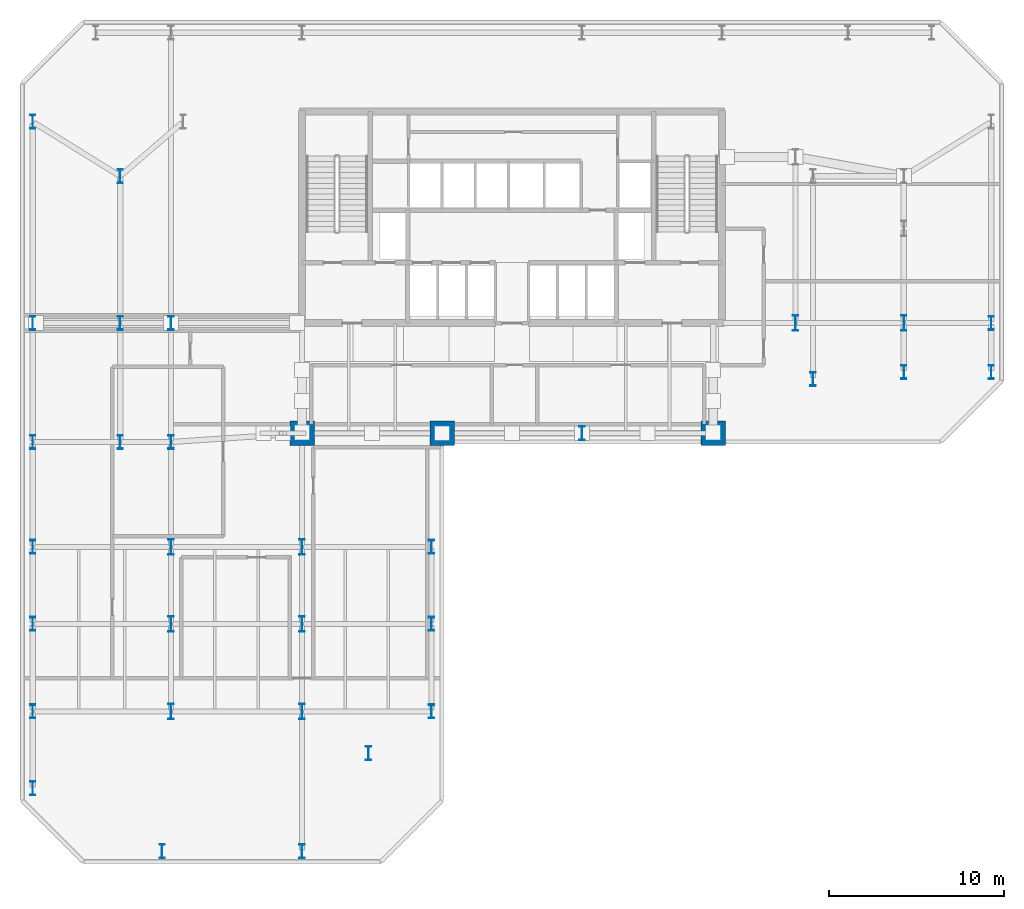
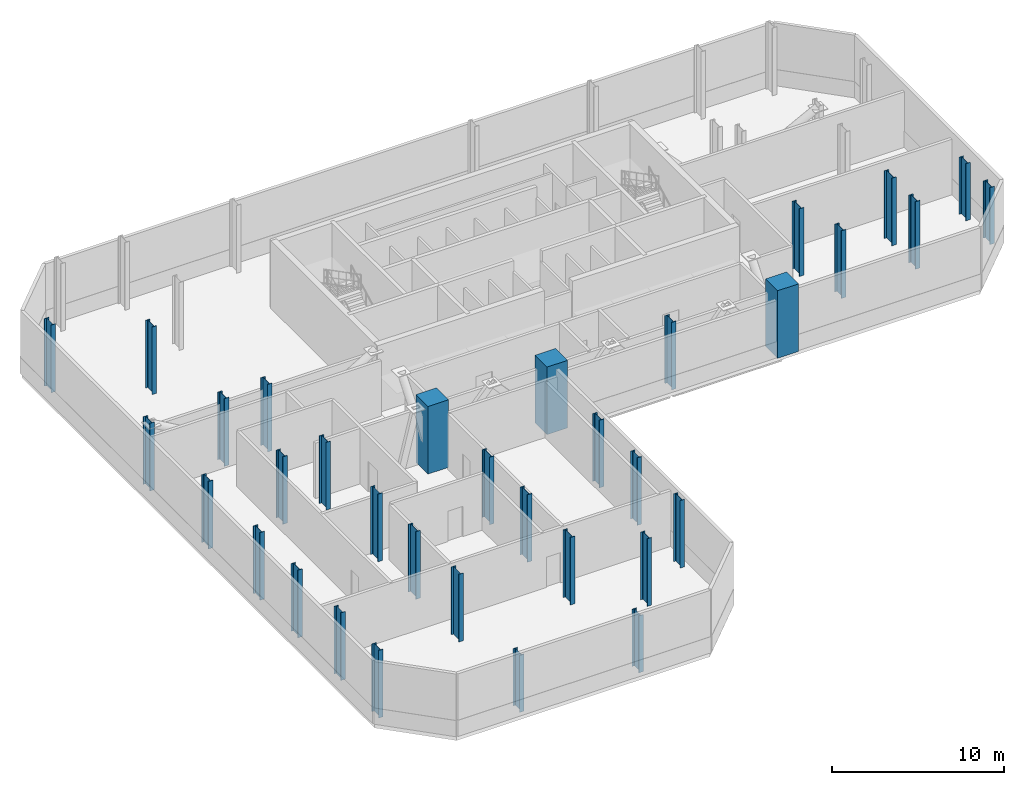
# One storey, part 1 of 8: 34 columns.
"""IFC4 building model written with IfcOpenShell, lengths in metres."""

from ifc_helpers import new_model, si_unit, direction, frame, origin, origin_2d, place, context, subcontext, project, spatial, rectangle, i_section, extrude, material, material_profile, profile_set, type_object, element, save


model = new_model("IFC4")

# Units and contexts
model_context = context("Model", 3, precision=1e-05, world=origin(), true_north=direction((0.0, 1.0)))
body_context = subcontext(model_context, "Body", "Model", "MODEL_VIEW")
ifc_project = project(units=[si_unit("LENGTHUNIT", "METRE"), si_unit("AREAUNIT", "SQUARE_METRE"), si_unit("VOLUMEUNIT", "CUBIC_METRE"), si_unit("PLANEANGLEUNIT", "RADIAN"), si_unit("MASSUNIT", "GRAM", prefix="KILO")], contexts=[model_context])

# Site, building, storey
site_placement = place(None, origin())
site = spatial("IfcSite", under=ifc_project, at=site_placement, CompositionType="ELEMENT")
building_placement = place(site_placement, origin())
building = spatial("IfcBuilding", under=site, at=building_placement, Name="Catumbela Crestline Tower", CompositionType="ELEMENT")
storey_placement = place(building_placement, frame((0.0, 0.0, 79.8)))
storey = spatial("IfcBuildingStorey", under=building, at=storey_placement, Name="L20", CompositionType="ELEMENT", Elevation=79.8)

# Columns
ifc_material_1 = material(Name="Concrete C60/75", Category="concrete")
ifc_material_profile_1 = material_profile(ifc_material_1, rectangle(XDim=1.4, YDim=1.4, at=origin_2d()), Name="RC 1400x1400")
ifc_profile_set_1 = profile_set([ifc_material_profile_1], Name="Concrete C60/75")
column_type_1 = type_object("IfcColumnType", Name="C-RC1400-C60", PredefinedType="COLUMN", material=ifc_profile_set_1)
for number, where, z_axis, x_axis, name in (
    (1, (16.0, 24.5, 0.0), (0.0, 0.0, 1.0), (1.0, 0.0, 0.0), "L20 Column C-16-24 (RC 1400x1400)"),
    (2, (24.0, 24.5, 0.0), (0.0, 0.0, 1.0), (1.0, 0.0, 0.0), "L20 Column C-24-24 (RC 1400x1400)"),
    (3, (39.5, 24.5, 0.0), (0.0, 0.0, 1.0), (1.0, 0.0, 0.0), "L20 Column C-40-24 (RC 1400x1400)"),
):
    element("IfcColumn", number, at=place(storey_placement, frame(where, z_axis=z_axis, x_axis=x_axis)), inside=storey, type_object=column_type_1, Name=name, PredefinedType="COLUMN", context=body_context, shape_type="SweptSolid", body=[
        extrude(rectangle(XDim=1.4, YDim=1.4, at=origin_2d()), origin(), (0.0, 0.0, 1.0), 4.8),
    ])
ifc_material_2 = material(Name="Structural steel S460M", Category="steel")
ifc_material_profile_2 = material_profile(ifc_material_2, i_section(OverallWidth=0.3, OverallDepth=0.8, WebThickness=0.0175, FlangeThickness=0.033, FilletRadius=0.03, at=origin_2d()), Name="HEB 800")
ifc_profile_set_2 = profile_set([ifc_material_profile_2], Name="Structural steel S460M")
column_type_2 = type_object("IfcColumnType", Name="C-ST-HEB800", PredefinedType="COLUMN", material=ifc_profile_set_2)
for number, where, z_axis, x_axis, name in (
    (4, (8.5, 24.0, 0.0), (0.0, 0.0, 1.0), (1.0, 0.0, 0.0), "L20 Column C-08-24 (HEB 800)"),
    (5, (32.0, 24.5, 0.0), (0.0, 0.0, 1.0), (1.0, 0.0, 0.0), "L20 Column C-32-24 (HEB 800)"),
    (6, (5.6, 24.0, 0.0), (0.0, 0.0, 1.0), (1.0, 0.0, 0.0), "L20 Column C-05-24 (HEB 800)"),
    (7, (5.6, 30.8, 0.0), (0.0, 0.0, 1.0), (1.0, 0.0, 0.0), "L20 Column C-05-31 (HEB 800)"),
    (8, (5.6, 39.2, 0.0), (0.0, 0.0, 1.0), (1.0, 0.0, 0.0), "L20 Column C-05-43 (HEB 800)"),
    (9, (8.5, 30.8, 0.0), (0.0, 0.0, 1.0), (1.0, 0.0, 0.0), "L20 Column C-08-31 (HEB 800)"),
    (10, (45.2, 27.6, 0.0), (0.0, 0.0, 1.0), (1.0, 0.0, 0.0), "L20 Column C-46-24 (HEB 800)"),
    (11, (0.6, 24.0, 0.0), (0.0, 0.0, 1.0), (1.0, 0.0, 0.0), "L20 Column C-00-24 (HEB 800)"),
    (12, (0.6, 30.8, 0.0), (0.0, 0.0, 1.0), (1.0, 0.0, 0.0), "L20 Column C-00-31 (HEB 800)"),
    (13, (0.6, 42.3, 0.0), (0.0, 0.0, 1.0), (1.0, 0.0, 0.0), "L20 Column C-00-43 (HEB 800)"),
    (14, (50.4, 28.0, 0.0), (0.0, 0.0, 1.0), (1.0, 0.0, 0.0), "L20 Column C-51-24 (HEB 800)"),
):
    element("IfcColumn", number, at=place(storey_placement, frame(where, z_axis=z_axis, x_axis=x_axis)), inside=storey, type_object=column_type_2, Name=name, PredefinedType="COLUMN", context=body_context, shape_type="SweptSolid", body=[
        extrude(i_section(OverallWidth=0.3, OverallDepth=0.8, WebThickness=0.0175, FlangeThickness=0.033, FilletRadius=0.03, at=origin_2d()), origin(), (0.0, 0.0, 1.0), 4.8),
    ])
for number, where, z_axis, x_axis, name in (
    (15, (55.4, 28.0, 0.0), (0.0, 0.0, 1.0), (1.0, 0.0, 0.0), "L20 Column C-56-24 (HEB 800)"),
    (16, (55.4, 30.8, 0.0), (0.0, 0.0, 1.0), (1.0, 0.0, 0.0), "L20 Column C-56-31 (HEB 800)"),
):
    element("IfcColumn", number, at=place(storey_placement, frame(where, z_axis=z_axis, x_axis=x_axis)), inside=storey, type_object=column_type_2, Name=name, PredefinedType="COLUMN", context=body_context, shape_type="SweptSolid", body=[
        extrude(i_section(OverallWidth=0.3, OverallDepth=0.8, WebThickness=0.0175, FlangeThickness=0.033, FilletRadius=0.03, at=origin_2d()), origin(), (0.0, 0.0, 1.0), 4.05),
    ])
for number, where, z_axis, x_axis, name in (
    (17, (0.6, 8.6, 0.0), (0.0, 0.0, 1.0), (1.0, 0.0, 0.0), "L20 Column C-00-05 (HEB 800)"),
    (18, (0.6, 13.6, 0.0), (0.0, 0.0, 1.0), (1.0, 0.0, 0.0), "L20 Column C-00-10 (HEB 800)"),
    (19, (0.6, 18.0, 0.0), (0.0, 0.0, 1.0), (1.0, 0.0, 0.0), "L20 Column C-00-16 (HEB 800)"),
    (20, (0.6, 4.2, 0.0), (0.0, 0.0, 1.0), (1.0, 0.0, 0.0), "L20 Column C-00-03 (HEB 800)"),
):
    element("IfcColumn", number, at=place(storey_placement, frame(where, z_axis=z_axis, x_axis=x_axis)), inside=storey, type_object=column_type_2, Name=name, PredefinedType="COLUMN", context=body_context, shape_type="SweptSolid", body=[
        extrude(i_section(OverallWidth=0.3, OverallDepth=0.8, WebThickness=0.0175, FlangeThickness=0.033, FilletRadius=0.03, at=origin_2d()), origin(), (0.0, 0.0, 1.0), 4.8),
    ])
for number, where, z_axis, x_axis, name in (
    (21, (8.0, 0.6, 0.0), (0.0, 0.0, 1.0), (1.0, 0.0, 0.0), "L20 Column C-08-00 (HEB 800)"),
    (22, (16.0, 0.6, 0.0), (0.0, 0.0, 1.0), (1.0, 0.0, 0.0), "L20 Column C-16-00 (HEB 800)"),
):
    element("IfcColumn", number, at=place(storey_placement, frame(where, z_axis=z_axis, x_axis=x_axis)), inside=storey, type_object=column_type_2, Name=name, PredefinedType="COLUMN", context=body_context, shape_type="SweptSolid", body=[
        extrude(i_section(OverallWidth=0.3, OverallDepth=0.8, WebThickness=0.0175, FlangeThickness=0.033, FilletRadius=0.03, at=origin_2d()), origin(), (0.0, 0.0, 1.0), 4.05),
    ])
for number, where, z_axis, x_axis, name in (
    (23, (19.8, 6.2, 0.0), (0.0, 0.0, 1.0), (1.0, 0.0, 0.0), "L20 Column C-24-05 (HEB 800)"),
    (24, (23.4, 8.6, 0.0), (0.0, 0.0, 1.0), (1.0, 0.0, 0.0), "L20 Column C-23-08 (HEB 800)"),
    (25, (23.4, 13.6, 0.0), (0.0, 0.0, 1.0), (1.0, 0.0, 0.0), "L20 Column C-24-10 (HEB 800)"),
    (26, (23.4, 18.0, 0.0), (0.0, 0.0, 1.0), (1.0, 0.0, 0.0), "L20 Column C-24-16 (HEB 800)"),
):
    element("IfcColumn", number, at=place(storey_placement, frame(where, z_axis=z_axis, x_axis=x_axis)), inside=storey, type_object=column_type_2, Name=name, PredefinedType="COLUMN", context=body_context, shape_type="SweptSolid", body=[
        extrude(i_section(OverallWidth=0.3, OverallDepth=0.8, WebThickness=0.0175, FlangeThickness=0.033, FilletRadius=0.03, at=origin_2d()), origin(), (0.0, 0.0, 1.0), 4.8),
    ])
ifc_material_profile_3 = material_profile(ifc_material_2, i_section(OverallWidth=0.3, OverallDepth=0.9, WebThickness=0.0185, FlangeThickness=0.035, FilletRadius=0.03, at=origin_2d()), Name="HEB 900")
ifc_profile_set_3 = profile_set([ifc_material_profile_3], Name="Structural steel S460M")
column_type_3 = type_object("IfcColumnType", Name="C-ST-HEB900", PredefinedType="COLUMN", material=ifc_profile_set_3)
for number, where, z_axis, x_axis, name in (
    (27, (8.5, 8.6, 0.0), (0.0, 0.0, 1.0), (1.0, 0.0, 0.0), "L20 Column CT-05-05 (HEB 900)"),
    (28, (16.0, 8.6, 0.0), (0.0, 0.0, 1.0), (1.0, 0.0, 0.0), "L20 Column CT-14-05 (HEB 900)"),
    (29, (8.5, 13.6, 0.0), (0.0, 0.0, 1.0), (1.0, 0.0, 0.0), "L20 Column CT-05-10 (HEB 900)"),
    (30, (16.0, 13.6, 0.0), (0.0, 0.0, 1.0), (1.0, 0.0, 0.0), "L20 Column CT-14-10 (HEB 900)"),
    (31, (8.5, 18.0, 0.0), (0.0, 0.0, 1.0), (1.0, 0.0, 0.0), "L20 Column CT-05-16 (HEB 900)"),
    (32, (16.0, 18.0, 0.0), (0.0, 0.0, 1.0), (1.0, 0.0, 0.0), "L20 Column CT-14-16 (HEB 900)"),
    (33, (44.2, 30.8, 0.0), (0.0, 0.0, 1.0), (1.0, 0.0, 0.0), "L20 Column CT-46-31 (HEB 900)"),
    (34, (50.4, 30.8, 0.0), (0.0, 0.0, 1.0), (1.0, 0.0, 0.0), "L20 Column CT-51-31 (HEB 900)"),
):
    element("IfcColumn", number, at=place(storey_placement, frame(where, z_axis=z_axis, x_axis=x_axis)), inside=storey, type_object=column_type_3, Name=name, PredefinedType="COLUMN", context=body_context, shape_type="SweptSolid", body=[
        extrude(i_section(OverallWidth=0.3, OverallDepth=0.9, WebThickness=0.0185, FlangeThickness=0.035, FilletRadius=0.03, at=origin_2d()), origin(), (0.0, 0.0, 1.0), 4.8),
    ])

save(model, "model.ifc")
